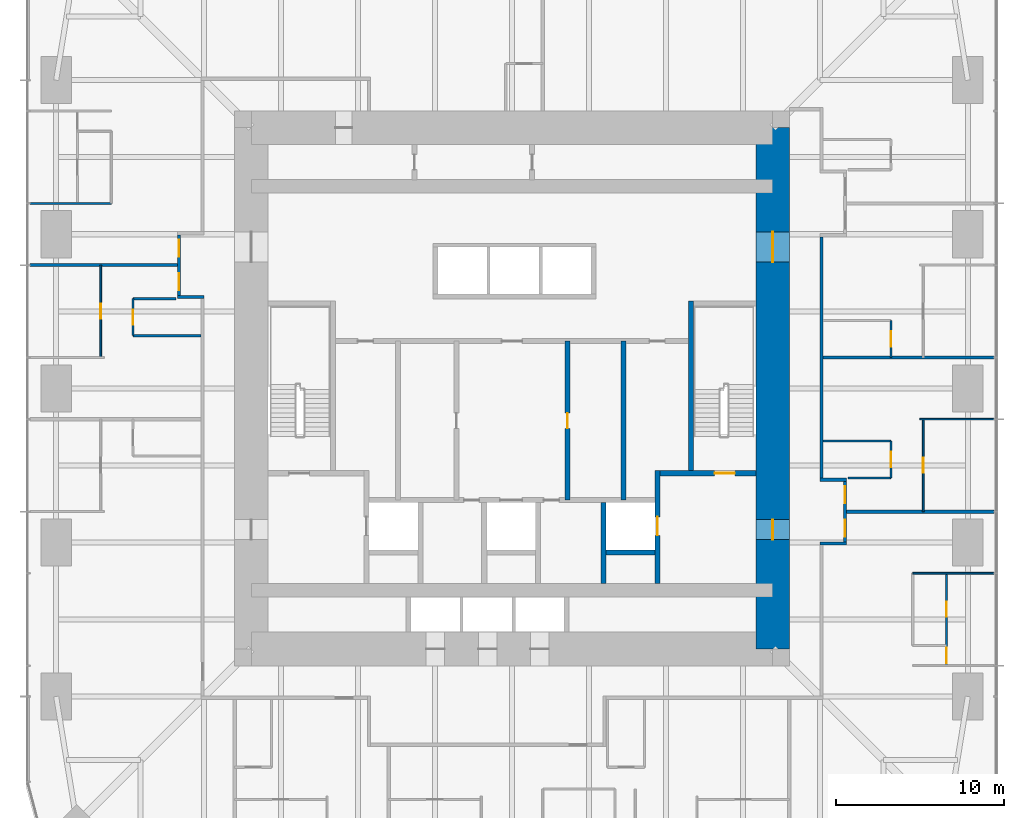
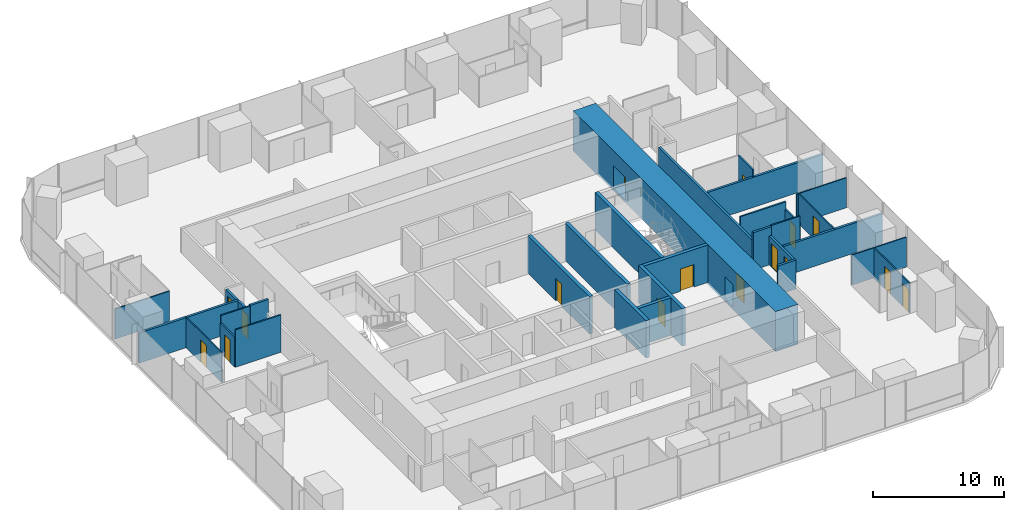
# One storey, part 10 of 13: 30 walls, 16 doors, 16 openings.
"""IFC4 building model written with IfcOpenShell, lengths in metres."""

from ifc_helpers import new_model, si_unit, direction, frame, frame_2d, origin, place, context, subcontext, project, spatial, rectangle, extrude, material, layer, layer_set, type_object, element, fill, save


model = new_model("IFC4")

# Units and contexts
model_context = context("Model", 3, precision=1e-05, world=origin(), true_north=direction((0.0, 1.0)))
body_context = subcontext(model_context, "Body", "Model", "MODEL_VIEW")
ifc_project = project(units=[si_unit("LENGTHUNIT", "METRE"), si_unit("AREAUNIT", "SQUARE_METRE"), si_unit("VOLUMEUNIT", "CUBIC_METRE"), si_unit("PLANEANGLEUNIT", "RADIAN"), si_unit("MASSUNIT", "GRAM", prefix="KILO")], contexts=[model_context])

# Site, building, storey
site_placement = place(None, origin())
site = spatial("IfcSite", under=ifc_project, at=site_placement, CompositionType="ELEMENT")
building_placement = place(site_placement, origin())
building = spatial("IfcBuilding", under=site, at=building_placement, Name="Khuree Lantern Residences", CompositionType="ELEMENT")
storey_placement = place(building_placement, frame((0.0, 0.0, 137.25)))
storey = spatial("IfcBuildingStorey", under=building, at=storey_placement, Name="L34", CompositionType="ELEMENT", Elevation=137.25)

# Wall, opening, door
ifc_material_1 = material(Name="Moisture-resistant gypsum board on steel studs", Category="steel")
ifc_layer_1 = layer(ifc_material_1, 0.125)
ifc_layer_set_1 = layer_set([ifc_layer_1], Name="BATHROOM WALL BTW125")
wall_type_1 = type_object("IfcWallType", Name="BATHROOM WALL BTW125", PredefinedType="PARTITIONING", material=ifc_layer_set_1)
wall_1_placement = place(storey_placement, frame((22.52978515625, -5.327880859375, 0.0), z_axis=(0.0, 0.0, 1.0), x_axis=(0.0, 1.0, 0.0)))
wall_1 = element("IfcWall", 1, at=wall_1_placement, inside=storey, type_object=wall_type_1, Name="L34 BATHROOM WALL 01", PredefinedType="PARTITIONING", context=body_context, shape_type="SweptSolid", body=[
    extrude(rectangle(XDim=2.199951171875, YDim=0.125, at=frame_2d((1.10009765625, 0.0))), origin(), (0.0, 0.0, 1.0), 2.81005859375),
])
opening_1_placement = place(wall_1_placement, frame((0.64990234375, 0.0, 0.0)))
opening_1 = element("IfcOpeningElement", 2, at=opening_1_placement, cuts=wall_1, Name="Opening 34-024", PredefinedType="OPENING", context=body_context, shape_type="SweptSolid", body=[
    extrude(rectangle(XDim=0.89990234375, YDim=2.10009765625, at=frame_2d((0.449951171875, 1.050048828125))), frame((0.0, 0.072509765625, 0.0), z_axis=(0.0, -1.0, 0.0), x_axis=(1.0, 0.0, 0.0)), (0.0, 0.0, 1.0), 0.14501953125),
])
ifc_material_2 = material(Name="Timber door leaf in hardwood frame", Category="wood")
door_type_1 = type_object("IfcDoorType", Name="BATHROOM DOOR 900X2100", OperationType="SINGLE_SWING_LEFT", PredefinedType="DOOR", material=ifc_material_2)
door_1_placement = place(opening_1_placement, origin())
door_1 = element("IfcDoor", 3, at=door_1_placement, inside=storey, type_object=door_type_1, Name="Bathroom door 34-024", OperationType="SINGLE_SWING_LEFT", OverallHeight=2.10009765625, OverallWidth=0.89990234375, PredefinedType="DOOR", context=body_context, shape_type="SweptSolid", body=[
    extrude(rectangle(XDim=0.89990234375, YDim=2.10009765625, at=frame_2d((0.449951171875, 1.050048828125))), frame((0.0, 0.02490234375, 0.0), z_axis=(0.0, -1.0, 0.0), x_axis=(1.0, 0.0, 0.0)), (0.0, 0.0, 1.0), 0.050048828125),
])
fill(opening_1, door_1)

# Walls
wall_2_placement = place(storey_placement, frame((19.969970703125, -5.327880859375, 0.0), z_axis=(0.0, 0.0, 1.0), x_axis=(1.0, 0.0, 0.0)))
element("IfcWall", 4, at=wall_2_placement, inside=storey, type_object=wall_type_1, Name="L34 BATHROOM WALL 01", PredefinedType="PARTITIONING", context=body_context, shape_type="SweptSolid", body=[
    extrude(rectangle(XDim=2.559814453125, YDim=0.125, at=frame_2d((1.27978515625, 0.0))), origin(), (0.0, 0.0, 1.0), 3.5),
])
wall_3_placement = place(storey_placement, frame((18.5, -3.1279296875, 0.0), z_axis=(0.0, 0.0, 1.0), x_axis=(1.0, 0.0, 0.0)))
element("IfcWall", 5, at=wall_3_placement, inside=storey, type_object=wall_type_1, Name="L34 BATHROOM WALL 01", PredefinedType="PARTITIONING", context=body_context, shape_type="SweptSolid", body=[
    extrude(rectangle(XDim=4.02978515625, YDim=0.125, at=frame_2d((2.014892578125, 0.0))), origin(), (0.0, 0.0, 1.0), 3.5),
])

# Wall, opening, door
wall_4_placement = place(storey_placement, frame((22.52978515625, 1.83203125, 0.0), z_axis=(0.0, 0.0, 1.0), x_axis=(0.0, 1.0, 0.0)))
wall_4 = element("IfcWall", 6, at=wall_4_placement, inside=storey, type_object=wall_type_1, Name="L34 BATHROOM WALL 02", PredefinedType="PARTITIONING", context=body_context, shape_type="SweptSolid", body=[
    extrude(rectangle(XDim=2.199951171875, YDim=0.125, at=frame_2d((1.10009765625, 0.0))), origin(), (0.0, 0.0, 1.0), 3.5),
])
opening_2_placement = place(wall_4_placement, frame((0.64990234375, 0.0, 0.0)))
opening_2 = element("IfcOpeningElement", 7, at=opening_2_placement, cuts=wall_4, Name="Opening 34-027", PredefinedType="OPENING", context=body_context, shape_type="SweptSolid", body=[
    extrude(rectangle(XDim=0.89990234375, YDim=2.10009765625, at=frame_2d((0.449951171875, 1.050048828125))), frame((0.0, 0.072509765625, 0.0), z_axis=(0.0, -1.0, 0.0), x_axis=(1.0, 0.0, 0.0)), (0.0, 0.0, 1.0), 0.14501953125),
])
door_2_placement = place(opening_2_placement, origin())
door_2 = element("IfcDoor", 8, at=door_2_placement, inside=storey, type_object=door_type_1, Name="Bathroom door 34-027", OperationType="SINGLE_SWING_LEFT", OverallHeight=2.10009765625, OverallWidth=0.89990234375, PredefinedType="DOOR", context=body_context, shape_type="SweptSolid", body=[
    extrude(rectangle(XDim=0.89990234375, YDim=2.10009765625, at=frame_2d((0.449951171875, 1.050048828125))), frame((0.0, 0.02490234375, 0.0), z_axis=(0.0, -1.0, 0.0), x_axis=(1.0, 0.0, 0.0)), (0.0, 0.0, 1.0), 0.050048828125),
])
fill(opening_2, door_2)

wall_5_placement = place(storey_placement, frame((-22.52978515625, 5.327880859375, 0.0), z_axis=(0.0, 0.0, 1.0), x_axis=(0.0, -1.0, 0.0)))
wall_5 = element("IfcWall", 9, at=wall_5_placement, inside=storey, type_object=wall_type_1, Name="L34 BATHROOM WALL 05", PredefinedType="PARTITIONING", context=body_context, shape_type="SweptSolid", body=[
    extrude(rectangle(XDim=2.199951171875, YDim=0.125, at=frame_2d((1.10009765625, 0.0))), origin(), (0.0, 0.0, 1.0), 2.81005859375),
])
opening_3_placement = place(wall_5_placement, frame((0.64990234375, 0.0, 0.0)))
opening_3 = element("IfcOpeningElement", 10, at=opening_3_placement, cuts=wall_5, Name="Opening 34-040", PredefinedType="OPENING", context=body_context, shape_type="SweptSolid", body=[
    extrude(rectangle(XDim=0.89990234375, YDim=2.10009765625, at=frame_2d((0.449951171875, 1.050048828125))), frame((0.0, 0.072509765625, 0.0), z_axis=(0.0, -1.0, 0.0), x_axis=(1.0, 0.0, 0.0)), (0.0, 0.0, 1.0), 0.14501953125),
])
door_3_placement = place(opening_3_placement, origin())
door_3 = element("IfcDoor", 11, at=door_3_placement, inside=storey, type_object=door_type_1, Name="Bathroom door 34-040", OperationType="SINGLE_SWING_LEFT", OverallHeight=2.10009765625, OverallWidth=0.89990234375, PredefinedType="DOOR", context=body_context, shape_type="SweptSolid", body=[
    extrude(rectangle(XDim=0.89990234375, YDim=2.10009765625, at=frame_2d((0.449951171875, 1.050048828125))), frame((0.0, 0.02490234375, 0.0), z_axis=(0.0, -1.0, 0.0), x_axis=(1.0, 0.0, 0.0)), (0.0, 0.0, 1.0), 0.050048828125),
])
fill(opening_3, door_3)

# Walls
wall_6_placement = place(storey_placement, frame((-19.969970703125, 5.327880859375, 0.0), z_axis=(0.0, 0.0, 1.0), x_axis=(-1.0, 0.0, 0.0)))
element("IfcWall", 12, at=wall_6_placement, inside=storey, type_object=wall_type_1, Name="L34 BATHROOM WALL 05", PredefinedType="PARTITIONING", context=body_context, shape_type="SweptSolid", body=[
    extrude(rectangle(XDim=2.559814453125, YDim=0.125, at=frame_2d((1.27978515625, 0.0))), origin(), (0.0, 0.0, 1.0), 3.5),
])
wall_7_placement = place(storey_placement, frame((-18.5, 3.1279296875, 0.0), z_axis=(0.0, 0.0, 1.0), x_axis=(-1.0, 0.0, 0.0)))
element("IfcWall", 13, at=wall_7_placement, inside=storey, type_object=wall_type_1, Name="L34 BATHROOM WALL 05", PredefinedType="PARTITIONING", context=body_context, shape_type="SweptSolid", body=[
    extrude(rectangle(XDim=4.02978515625, YDim=0.125, at=frame_2d((2.014892578125, 0.0))), origin(), (0.0, 0.0, 1.0), 3.5),
])

# Wall, opening, door
ifc_material_3 = material(Name="Dense concrete blockwork", Category="masonry")
ifc_layer_2 = layer(ifc_material_3, 0.300048828125)
ifc_layer_set_2 = layer_set([ifc_layer_2], Name="CORE PARTITION WALL CPW300 EI 120")
wall_type_2 = type_object("IfcWallType", Name="CORE PARTITION WALL CPW300 EI 120", PredefinedType="PARTITIONING", material=ifc_layer_set_2)
wall_8_placement = place(storey_placement, frame((8.64990234375, -11.60009765625, 0.0), z_axis=(0.0, 0.0, 1.0), x_axis=(0.0, 1.0, 0.0)))
wall_8 = element("IfcWall", 14, at=wall_8_placement, inside=storey, type_object=wall_type_2, Name="L34 CORE WALL FL2E", PredefinedType="PARTITIONING", context=body_context, shape_type="SweptSolid", body=[
    extrude(rectangle(XDim=6.7001953125, YDim=0.300048828125, at=frame_2d((3.35009765625, 0.0))), origin(), (0.0, 0.0, 1.0), 3.5),
])
opening_4_placement = place(wall_8_placement, frame((2.85009765625, 0.0, 0.0)))
opening_4 = element("IfcOpeningElement", 15, at=opening_4_placement, cuts=wall_8, Name="Opening 34-008", PredefinedType="OPENING", context=body_context, shape_type="SweptSolid", body=[
    extrude(rectangle(XDim=1.10009765625, YDim=2.10009765625, at=frame_2d((0.550048828125, 1.050048828125))), frame((0.0, 0.16015625, 0.0), z_axis=(0.0, -1.0, 0.0), x_axis=(1.0, 0.0, 0.0)), (0.0, 0.0, 1.0), 0.320068359375),
])
ifc_material_4 = material(Name="Stainless steel lift landing door", Category="steel")
door_type_2 = type_object("IfcDoorType", Name="LIFT LANDING DOOR 1100X2100 E 120", OperationType="DOUBLE_DOOR_SLIDING", PredefinedType="DOOR", material=ifc_material_4)
door_4_placement = place(opening_4_placement, origin())
door_4 = element("IfcDoor", 16, at=door_4_placement, inside=storey, type_object=door_type_2, Name="Landing door FL2 34-008", OperationType="DOUBLE_DOOR_SLIDING", OverallHeight=2.10009765625, OverallWidth=1.10009765625, PredefinedType="DOOR", context=body_context, shape_type="SweptSolid", body=[
    extrude(rectangle(XDim=1.10009765625, YDim=2.10009765625, at=frame_2d((0.550048828125, 1.050048828125))), frame((0.0, 0.02490234375, 0.0), z_axis=(0.0, -1.0, 0.0), x_axis=(1.0, 0.0, 0.0)), (0.0, 0.0, 1.0), 0.050048828125),
])
fill(opening_4, door_4)

# Walls
wall_9_placement = place(storey_placement, frame((5.449951171875, -11.60009765625, 0.0), z_axis=(0.0, 0.0, 1.0), x_axis=(0.0, 1.0, 0.0)))
element("IfcWall", 17, at=wall_9_placement, inside=storey, type_object=wall_type_2, Name="L34 CORE WALL FL2W", PredefinedType="PARTITIONING", context=body_context, shape_type="SweptSolid", body=[
    extrude(rectangle(XDim=4.800048828125, YDim=0.300048828125, at=frame_2d((2.39990234375, 0.0))), origin(), (0.0, 0.0, 1.0), 3.5),
])
wall_10_placement = place(storey_placement, frame((5.60009765625, -9.75, 0.0), z_axis=(0.0, 0.0, 1.0), x_axis=(1.0, 0.0, 0.0)))
element("IfcWall", 18, at=wall_10_placement, inside=storey, type_object=wall_type_2, Name="L34 CORE WALL FL2S", PredefinedType="PARTITIONING", context=body_context, shape_type="SweptSolid", body=[
    extrude(rectangle(XDim=2.89990234375, YDim=0.300048828125, at=frame_2d((1.449951171875, 0.0))), origin(), (0.0, 0.0, 1.0), 3.5),
])

# Wall, opening, door
wall_11_placement = place(storey_placement, frame((3.300048828125, -6.64990234375, 0.0), z_axis=(0.0, 0.0, 1.0), x_axis=(0.0, 1.0, 0.0)))
wall_11 = element("IfcWall", 19, at=wall_11_placement, inside=storey, type_object=wall_type_2, Name="L34 CORE WALL SVE", PredefinedType="PARTITIONING", context=body_context, shape_type="SweptSolid", body=[
    extrude(rectangle(XDim=9.449951171875, YDim=0.300048828125, at=frame_2d((4.72509765625, 0.0))), origin(), (0.0, 0.0, 1.0), 3.5),
])
opening_5_placement = place(wall_11_placement, frame((4.27490234375, 0.0, 0.0)))
opening_5 = element("IfcOpeningElement", 20, at=opening_5_placement, cuts=wall_11, Name="Opening 34-018", PredefinedType="OPENING", context=body_context, shape_type="SweptSolid", body=[
    extrude(rectangle(XDim=0.89990234375, YDim=2.10009765625, at=frame_2d((0.449951171875, 1.050048828125))), frame((0.0, 0.16015625, 0.0), z_axis=(0.0, -1.0, 0.0), x_axis=(1.0, 0.0, 0.0)), (0.0, 0.0, 1.0), 0.320068359375),
])
door_type_3 = type_object("IfcDoorType", Name="DOOR 900X2100", OperationType="SINGLE_SWING_LEFT", PredefinedType="DOOR", material=ifc_material_2)
door_5_placement = place(opening_5_placement, origin())
door_5 = element("IfcDoor", 21, at=door_5_placement, inside=storey, type_object=door_type_3, Name="Residents' store door 34-018", OperationType="SINGLE_SWING_LEFT", OverallHeight=2.10009765625, OverallWidth=0.89990234375, PredefinedType="DOOR", context=body_context, shape_type="SweptSolid", body=[
    extrude(rectangle(XDim=0.89990234375, YDim=2.10009765625, at=frame_2d((0.449951171875, 1.050048828125))), frame((0.0, 0.02490234375, 0.0), z_axis=(0.0, -1.0, 0.0), x_axis=(1.0, 0.0, 0.0)), (0.0, 0.0, 1.0), 0.050048828125),
])
fill(opening_5, door_5)

# Walls
wall_12_placement = place(storey_placement, frame((6.6220703125, -6.64990234375, 0.0), z_axis=(0.0, 0.0, 1.0), x_axis=(0.0, 1.0, 0.0)))
element("IfcWall", 22, at=wall_12_placement, inside=storey, type_object=wall_type_2, Name="L34 CORE WALL EV", PredefinedType="PARTITIONING", context=body_context, shape_type="SweptSolid", body=[
    extrude(rectangle(XDim=9.449951171875, YDim=0.300048828125, at=frame_2d((4.72509765625, 0.0))), origin(), (0.0, 0.0, 1.0), 3.5),
])
ifc_material_5 = material(Name="Gypsum board on steel studs", Category="steel")
ifc_layer_3 = layer(ifc_material_5, 0.199951171875)
ifc_layer_set_3 = layer_set([ifc_layer_3], Name="CORRIDOR WALL CRW200 EI 60")
wall_type_3 = type_object("IfcWallType", Name="CORRIDOR WALL CRW200 EI 60", PredefinedType="PARTITIONING", material=ifc_layer_set_3)
wall_13_placement = place(storey_placement, frame((18.300048828125, -9.22802734375, 0.0), z_axis=(0.0, 0.0, 1.0), x_axis=(1.0, 0.0, 0.0)))
element("IfcWall", 23, at=wall_13_placement, inside=storey, type_object=wall_type_3, Name="L34 CORRIDOR ALCOVE WALL EAST", PredefinedType="PARTITIONING", context=body_context, shape_type="SweptSolid", body=[
    extrude(rectangle(XDim=1.599853515625, YDim=0.199951171875, at=frame_2d((0.7998046875, 0.0))), origin(), (0.0, 0.0, 1.0), 2.699951171875),
])
wall_14_placement = place(storey_placement, frame((18.300048828125, -5.427978515625, 0.0), z_axis=(0.0, 0.0, 1.0), x_axis=(1.0, 0.0, 0.0)))
element("IfcWall", 24, at=wall_14_placement, inside=storey, type_object=wall_type_3, Name="L34 CORRIDOR ALCOVE WALL EAST", PredefinedType="PARTITIONING", context=body_context, shape_type="SweptSolid", body=[
    extrude(rectangle(XDim=1.599853515625, YDim=0.199951171875, at=frame_2d((0.7998046875, 0.0))), origin(), (0.0, 0.0, 1.0), 3.5),
])

# Wall, openings, doors
wall_15_placement = place(storey_placement, frame((19.800048828125, -9.1279296875, 0.0), z_axis=(0.0, 0.0, 1.0), x_axis=(0.0, 1.0, 0.0)))
wall_15 = element("IfcWall", 25, at=wall_15_placement, inside=storey, type_object=wall_type_3, Name="L34 CORRIDOR ALCOVE WALL EAST", PredefinedType="PARTITIONING", context=body_context, shape_type="SweptSolid", body=[
    extrude(rectangle(XDim=3.599853515625, YDim=0.199951171875, at=frame_2d((1.7998046875, 0.0))), origin(), (0.0, 0.0, 1.0), 2.699951171875),
])
opening_6_placement = place(wall_15_placement, frame((2.300048828125, 0.0, 0.0)))
opening_6 = element("IfcOpeningElement", 26, at=opening_6_placement, cuts=wall_15, Name="Opening 34-025", PredefinedType="OPENING", context=body_context, shape_type="SweptSolid", body=[
    extrude(rectangle(XDim=1.0, YDim=2.199951171875, at=frame_2d((0.5, 1.10009765625))), frame((0.0, 0.10986328125, 0.0), z_axis=(0.0, -1.0, 0.0), x_axis=(1.0, 0.0, 0.0)), (0.0, 0.0, 1.0), 0.219970703125),
])
opening_7_placement = place(wall_15_placement, frame((0.300048828125, 0.0, 0.0)))
opening_7 = element("IfcOpeningElement", 27, at=opening_7_placement, cuts=wall_15, Name="Opening 34-056", PredefinedType="OPENING", context=body_context, shape_type="SweptSolid", body=[
    extrude(rectangle(XDim=1.0, YDim=2.199951171875, at=frame_2d((0.5, 1.10009765625))), frame((0.0, 0.10986328125, 0.0), z_axis=(0.0, -1.0, 0.0), x_axis=(1.0, 0.0, 0.0)), (0.0, 0.0, 1.0), 0.219970703125),
])
door_type_4 = type_object("IfcDoorType", Name="APARTMENT ENTRANCE DOOR 1000X2200 EI 30S", OperationType="SINGLE_SWING_LEFT", PredefinedType="DOOR", material=ifc_material_2)
door_6_placement = place(opening_7_placement, origin())
door_6 = element("IfcDoor", 28, at=door_6_placement, inside=storey, type_object=door_type_4, Name="Apartment 09 entrance door 34-056", OperationType="SINGLE_SWING_LEFT", OverallHeight=2.199951171875, OverallWidth=1.0, PredefinedType="DOOR", context=body_context, shape_type="SweptSolid", body=[
    extrude(rectangle(XDim=1.0, YDim=2.199951171875, at=frame_2d((0.5, 1.10009765625))), frame((0.0, 0.02490234375, 0.0), z_axis=(0.0, -1.0, 0.0), x_axis=(1.0, 0.0, 0.0)), (0.0, 0.0, 1.0), 0.050048828125),
])
fill(opening_7, door_6)
door_type_5 = type_object("IfcDoorType", Name="APARTMENT ENTRANCE DOOR 1000X2200 EI 30S RIGHT HAND", OperationType="SINGLE_SWING_RIGHT", PredefinedType="DOOR", material=ifc_material_2)
door_7_placement = place(opening_6_placement, origin())
door_7 = element("IfcDoor", 29, at=door_7_placement, inside=storey, type_object=door_type_5, Name="Apartment 01 entrance door 34-025", OperationType="SINGLE_SWING_RIGHT", OverallHeight=2.199951171875, OverallWidth=1.0, PredefinedType="DOOR", context=body_context, shape_type="SweptSolid", body=[
    extrude(rectangle(XDim=1.0, YDim=2.199951171875, at=frame_2d((0.5, 1.10009765625))), frame((0.0, 0.02490234375, 0.0), z_axis=(0.0, -1.0, 0.0), x_axis=(1.0, 0.0, 0.0)), (0.0, 0.0, 1.0), 0.050048828125),
])
fill(opening_6, door_7)

# Walls
wall_16_placement = place(storey_placement, frame((18.39990234375, -5.327880859375, 0.0), z_axis=(0.0, 0.0, 1.0), x_axis=(0.0, 1.0, 0.0)))
element("IfcWall", 30, at=wall_16_placement, inside=storey, type_object=wall_type_3, Name="L34 CORRIDOR WALL EAST 2", PredefinedType="PARTITIONING", context=body_context, shape_type="SweptSolid", body=[
    extrude(rectangle(XDim=14.31982421875, YDim=0.199951171875, at=frame_2d((7.159912109375, 0.0))), origin(), (0.0, 0.0, 1.0), 2.699951171875),
])
wall_17_placement = place(storey_placement, frame((-18.300048828125, 5.427978515625, 0.0), z_axis=(0.0, 0.0, 1.0), x_axis=(-1.0, 0.0, 0.0)))
element("IfcWall", 31, at=wall_17_placement, inside=storey, type_object=wall_type_3, Name="L34 CORRIDOR ALCOVE WALL WEST", PredefinedType="PARTITIONING", context=body_context, shape_type="SweptSolid", body=[
    extrude(rectangle(XDim=1.599853515625, YDim=0.199951171875, at=frame_2d((0.7998046875, 0.0))), origin(), (0.0, 0.0, 1.0), 3.5),
])

# Wall, openings, doors
wall_18_placement = place(storey_placement, frame((-19.800048828125, 9.1279296875, 0.0), z_axis=(0.0, 0.0, 1.0), x_axis=(0.0, -1.0, 0.0)))
wall_18 = element("IfcWall", 32, at=wall_18_placement, inside=storey, type_object=wall_type_3, Name="L34 CORRIDOR ALCOVE WALL WEST", PredefinedType="PARTITIONING", context=body_context, shape_type="SweptSolid", body=[
    extrude(rectangle(XDim=3.599853515625, YDim=0.199951171875, at=frame_2d((1.7998046875, 0.0))), origin(), (0.0, 0.0, 1.0), 2.699951171875),
])
opening_8_placement = place(wall_18_placement, frame((0.300048828125, 0.0, 0.0)))
opening_8 = element("IfcOpeningElement", 33, at=opening_8_placement, cuts=wall_18, Name="Opening 34-038", PredefinedType="OPENING", context=body_context, shape_type="SweptSolid", body=[
    extrude(rectangle(XDim=1.0, YDim=2.199951171875, at=frame_2d((0.5, 1.10009765625))), frame((0.0, 0.10986328125, 0.0), z_axis=(0.0, -1.0, 0.0), x_axis=(1.0, 0.0, 0.0)), (0.0, 0.0, 1.0), 0.219970703125),
])
opening_9_placement = place(wall_18_placement, frame((2.300048828125, 0.0, 0.0)))
opening_9 = element("IfcOpeningElement", 34, at=opening_9_placement, cuts=wall_18, Name="Opening 34-041", PredefinedType="OPENING", context=body_context, shape_type="SweptSolid", body=[
    extrude(rectangle(XDim=1.0, YDim=2.199951171875, at=frame_2d((0.5, 1.10009765625))), frame((0.0, 0.10986328125, 0.0), z_axis=(0.0, -1.0, 0.0), x_axis=(1.0, 0.0, 0.0)), (0.0, 0.0, 1.0), 0.219970703125),
])
door_8_placement = place(opening_8_placement, origin())
door_8 = element("IfcDoor", 35, at=door_8_placement, inside=storey, type_object=door_type_4, Name="Apartment 04 entrance door 34-038", OperationType="SINGLE_SWING_LEFT", OverallHeight=2.199951171875, OverallWidth=1.0, PredefinedType="DOOR", context=body_context, shape_type="SweptSolid", body=[
    extrude(rectangle(XDim=1.0, YDim=2.199951171875, at=frame_2d((0.5, 1.10009765625))), frame((0.0, 0.02490234375, 0.0), z_axis=(0.0, -1.0, 0.0), x_axis=(1.0, 0.0, 0.0)), (0.0, 0.0, 1.0), 0.050048828125),
])
fill(opening_8, door_8)
door_9_placement = place(opening_9_placement, origin())
door_9 = element("IfcDoor", 36, at=door_9_placement, inside=storey, type_object=door_type_5, Name="Apartment 05 entrance door 34-041", OperationType="SINGLE_SWING_RIGHT", OverallHeight=2.199951171875, OverallWidth=1.0, PredefinedType="DOOR", context=body_context, shape_type="SweptSolid", body=[
    extrude(rectangle(XDim=1.0, YDim=2.199951171875, at=frame_2d((0.5, 1.10009765625))), frame((0.0, 0.02490234375, 0.0), z_axis=(0.0, -1.0, 0.0), x_axis=(1.0, 0.0, 0.0)), (0.0, 0.0, 1.0), 0.050048828125),
])
fill(opening_9, door_9)

ifc_material_6 = material(Name="Concrete C70/85", Category="concrete")
ifc_layer_4 = layer(ifc_material_6, 2.0)
ifc_layer_set_4 = layer_set([ifc_layer_4], Name="CW2000-C70 CORE WALL C70 2000")
wall_type_4 = type_object("IfcWallType", Name="CW2000-C70 CORE WALL C70 2000", PredefinedType="SHEAR", material=ifc_layer_set_4)
wall_19_placement = place(storey_placement, frame((15.5, -15.5, -0.25), z_axis=(0.0, 0.0, 1.0), x_axis=(0.0, 1.0, 0.0)))
wall_19 = element("IfcWall", 37, at=wall_19_placement, inside=storey, type_object=wall_type_4, Name="Core wall E", PredefinedType="SHEAR", context=body_context, shape_type="SweptSolid", body=[
    extrude(rectangle(XDim=31.0, YDim=2.0, at=frame_2d((15.5, 0.0))), origin(), (0.0, 0.0, 1.0), 3.75),
])
opening_10_placement = place(wall_19_placement, frame((6.5, 0.0, 0.25)))
opening_10 = element("IfcOpeningElement", 38, at=opening_10_placement, cuts=wall_19, Name="Opening 34-005", PredefinedType="OPENING", context=body_context, shape_type="SweptSolid", body=[
    extrude(rectangle(XDim=1.199951171875, YDim=2.10009765625, at=frame_2d((0.60009765625, 1.050048828125))), frame((0.0, 1.010009765625, 0.0), z_axis=(0.0, -1.0, 0.0), x_axis=(1.0, 0.0, 0.0)), (0.0, 0.0, 1.0), 2.02001953125),
])
opening_11_placement = place(wall_19_placement, frame((23.0, 0.0, 0.25)))
opening_11 = element("IfcOpeningElement", 39, at=opening_11_placement, cuts=wall_19, Name="Opening 34-006", PredefinedType="OPENING", context=body_context, shape_type="SweptSolid", body=[
    extrude(rectangle(XDim=1.800048828125, YDim=2.10009765625, at=frame_2d((0.89990234375, 1.050048828125))), frame((0.0, 1.010009765625, 0.0), z_axis=(0.0, -1.0, 0.0), x_axis=(1.0, 0.0, 0.0)), (0.0, 0.0, 1.0), 2.02001953125),
])
ifc_material_7 = material(Name="Steel door leaf in steel frame", Category="steel")
door_type_6 = type_object("IfcDoorType", Name="LOBBY DOOR 1200X2100 EI 120", OperationType="SINGLE_SWING_LEFT", PredefinedType="DOOR", material=ifc_material_7)
door_10_placement = place(opening_10_placement, origin())
door_10 = element("IfcDoor", 40, at=door_10_placement, inside=storey, type_object=door_type_6, Name="Firefighting lobby door 34-005", OperationType="SINGLE_SWING_LEFT", OverallHeight=2.10009765625, OverallWidth=1.199951171875, PredefinedType="DOOR", context=body_context, shape_type="SweptSolid", body=[
    extrude(rectangle(XDim=1.199951171875, YDim=2.10009765625, at=frame_2d((0.60009765625, 1.050048828125))), frame((0.0, 0.02490234375, 0.0), z_axis=(0.0, -1.0, 0.0), x_axis=(1.0, 0.0, 0.0)), (0.0, 0.0, 1.0), 0.050048828125),
])
fill(opening_10, door_10)
door_type_7 = type_object("IfcDoorType", Name="LOBBY DOUBLE DOOR 1800X2100 EI 60", OperationType="DOUBLE_DOOR_SINGLE_SWING", PredefinedType="DOOR", material=ifc_material_7)
door_11_placement = place(opening_11_placement, origin())
door_11 = element("IfcDoor", 41, at=door_11_placement, inside=storey, type_object=door_type_7, Name="Lift lobby door 34-006", OperationType="DOUBLE_DOOR_SINGLE_SWING", OverallHeight=2.10009765625, OverallWidth=1.800048828125, PredefinedType="DOOR", context=body_context, shape_type="SweptSolid", body=[
    extrude(rectangle(XDim=1.800048828125, YDim=2.10009765625, at=frame_2d((0.89990234375, 1.050048828125))), frame((0.0, 0.02490234375, 0.0), z_axis=(0.0, -1.0, 0.0), x_axis=(1.0, 0.0, 0.0)), (0.0, 0.0, 1.0), 0.050048828125),
])
fill(opening_11, door_11)

# Walls
ifc_layer_5 = layer(ifc_material_5, 0.199951171875)
ifc_layer_set_5 = layer_set([ifc_layer_5], Name="DEMISING WALL DMW200 EI 90")
wall_type_5 = type_object("IfcWallType", Name="DEMISING WALL DMW200 EI 90", PredefinedType="PARTITIONING", material=ifc_layer_set_5)
wall_20_placement = place(storey_placement, frame((19.89990234375, -7.327880859375, 0.0), z_axis=(0.0, 0.0, 1.0), x_axis=(1.0, 0.0, 0.0)))
element("IfcWall", 42, at=wall_20_placement, inside=storey, type_object=wall_type_5, Name="L34 DEMISING WALL 01", PredefinedType="PARTITIONING", context=body_context, shape_type="SweptSolid", body=[
    extrude(rectangle(XDim=8.75, YDim=0.199951171875, at=frame_2d((4.375, 0.0))), origin(), (0.0, 0.0, 1.0), 2.81005859375),
])
wall_21_placement = place(storey_placement, frame((18.5, 1.83203125, 0.0), z_axis=(0.0, 0.0, 1.0), x_axis=(1.0, 0.0, 0.0)))
element("IfcWall", 43, at=wall_21_placement, inside=storey, type_object=wall_type_5, Name="L34 DEMISING WALL 02", PredefinedType="PARTITIONING", context=body_context, shape_type="SweptSolid", body=[
    extrude(rectangle(XDim=10.14990234375, YDim=0.199951171875, at=frame_2d((5.074951171875, 0.0))), origin(), (0.0, 0.0, 1.0), 2.81005859375),
])
wall_22_placement = place(storey_placement, frame((-19.89990234375, 7.327880859375, 0.0), z_axis=(0.0, 0.0, 1.0), x_axis=(-1.0, 0.0, 0.0)))
element("IfcWall", 44, at=wall_22_placement, inside=storey, type_object=wall_type_5, Name="L34 DEMISING WALL 05", PredefinedType="PARTITIONING", context=body_context, shape_type="SweptSolid", body=[
    extrude(rectangle(XDim=8.75, YDim=0.199951171875, at=frame_2d((4.375, 0.0))), origin(), (0.0, 0.0, 1.0), 2.81005859375),
])
ifc_layer_6 = layer(ifc_material_5, 0.10009765625)
ifc_layer_set_6 = layer_set([ifc_layer_6], Name="PARTITION PT100")
wall_type_6 = type_object("IfcWallType", Name="PARTITION PT100", PredefinedType="PARTITIONING", material=ifc_layer_set_6)
wall_23_placement = place(storey_placement, frame((24.25, -1.83203125, 0.0), z_axis=(0.0, 0.0, 1.0), x_axis=(1.0, 0.0, 0.0)))
element("IfcWall", 45, at=wall_23_placement, inside=storey, type_object=wall_type_6, Name="L34 PARTITION 01", PredefinedType="PARTITIONING", context=body_context, shape_type="SweptSolid", body=[
    extrude(rectangle(XDim=4.39990234375, YDim=0.10009765625, at=frame_2d((2.199951171875, 0.0))), origin(), (0.0, 0.0, 1.0), 2.81005859375),
])
for number, where, z_axis, x_axis, name in (
    (46, (-23.829833984375, 10.991943359375, 0.0), (0.0, 0.0, 1.0), (-1.0, 0.0, 0.0), "L34 PARTITION 04"),
    (47, (23.829833984375, -10.991943359375, 0.0), (0.0, 0.0, 1.0), (1.0, 0.0, 0.0), "L34 PARTITION 09"),
):
    element("IfcWall", number, at=place(storey_placement, frame(where, z_axis=z_axis, x_axis=x_axis)), inside=storey, type_object=wall_type_6, Name=name, PredefinedType="PARTITIONING", context=body_context, shape_type="SweptSolid", body=[
        extrude(rectangle(XDim=4.820068359375, YDim=0.10009765625, at=frame_2d((2.41015625, 0.0))), origin(), (0.0, 0.0, 1.0), 2.81005859375),
    ])

# Wall, opening, door
wall_24_placement = place(storey_placement, frame((24.449951171875, -7.327880859375, 0.0), z_axis=(0.0, 0.0, 1.0), x_axis=(0.0, 1.0, 0.0)))
wall_24 = element("IfcWall", 48, at=wall_24_placement, inside=storey, type_object=wall_type_6, Name="L34 PARTITION 01", PredefinedType="PARTITIONING", context=body_context, shape_type="SweptSolid", body=[
    extrude(rectangle(XDim=5.495849609375, YDim=0.10009765625, at=frame_2d((2.748046875, 0.0))), origin(), (0.0, 0.0, 1.0), 2.81005859375),
])
opening_12_placement = place(wall_24_placement, frame((2.298095703125, 0.0, 0.0)))
opening_12 = element("IfcOpeningElement", 49, at=opening_12_placement, cuts=wall_24, Name="Opening 34-023", PredefinedType="OPENING", context=body_context, shape_type="SweptSolid", body=[
    extrude(rectangle(XDim=0.89990234375, YDim=2.10009765625, at=frame_2d((0.449951171875, 1.050048828125))), frame((0.0, 0.06005859375, 0.0), z_axis=(0.0, -1.0, 0.0), x_axis=(1.0, 0.0, 0.0)), (0.0, 0.0, 1.0), 0.1201171875),
])
door_type_8 = type_object("IfcDoorType", Name="BEDROOM DOOR 900X2100", OperationType="SINGLE_SWING_LEFT", PredefinedType="DOOR", material=ifc_material_2)
door_12_placement = place(opening_12_placement, origin())
door_12 = element("IfcDoor", 50, at=door_12_placement, inside=storey, type_object=door_type_8, Name="Bedroom door 34-023", OperationType="SINGLE_SWING_LEFT", OverallHeight=2.10009765625, OverallWidth=0.89990234375, PredefinedType="DOOR", context=body_context, shape_type="SweptSolid", body=[
    extrude(rectangle(XDim=0.89990234375, YDim=2.10009765625, at=frame_2d((0.449951171875, 1.050048828125))), frame((0.0, 0.02490234375, 0.0), z_axis=(0.0, -1.0, 0.0), x_axis=(1.0, 0.0, 0.0)), (0.0, 0.0, 1.0), 0.050048828125),
])
fill(opening_12, door_12)

wall_25_placement = place(storey_placement, frame((-24.449951171875, 7.327880859375, 0.0), z_axis=(0.0, 0.0, 1.0), x_axis=(0.0, -1.0, 0.0)))
wall_25 = element("IfcWall", 51, at=wall_25_placement, inside=storey, type_object=wall_type_6, Name="L34 PARTITION 05", PredefinedType="PARTITIONING", context=body_context, shape_type="SweptSolid", body=[
    extrude(rectangle(XDim=5.495849609375, YDim=0.10009765625, at=frame_2d((2.748046875, 0.0))), origin(), (0.0, 0.0, 1.0), 2.81005859375),
])
opening_13_placement = place(wall_25_placement, frame((2.298095703125, 0.0, 0.0)))
opening_13 = element("IfcOpeningElement", 52, at=opening_13_placement, cuts=wall_25, Name="Opening 34-039", PredefinedType="OPENING", context=body_context, shape_type="SweptSolid", body=[
    extrude(rectangle(XDim=0.89990234375, YDim=2.10009765625, at=frame_2d((0.449951171875, 1.050048828125))), frame((0.0, 0.06005859375, 0.0), z_axis=(0.0, -1.0, 0.0), x_axis=(1.0, 0.0, 0.0)), (0.0, 0.0, 1.0), 0.1201171875),
])
door_13_placement = place(opening_13_placement, origin())
door_13 = element("IfcDoor", 53, at=door_13_placement, inside=storey, type_object=door_type_8, Name="Bedroom door 34-039", OperationType="SINGLE_SWING_LEFT", OverallHeight=2.10009765625, OverallWidth=0.89990234375, PredefinedType="DOOR", context=body_context, shape_type="SweptSolid", body=[
    extrude(rectangle(XDim=0.89990234375, YDim=2.10009765625, at=frame_2d((0.449951171875, 1.050048828125))), frame((0.0, 0.02490234375, 0.0), z_axis=(0.0, -1.0, 0.0), x_axis=(1.0, 0.0, 0.0)), (0.0, 0.0, 1.0), 0.050048828125),
])
fill(opening_13, door_13)

# Wall, openings, doors
wall_26_placement = place(storey_placement, frame((25.829833984375, -16.488037109375, 0.0), z_axis=(0.0, 0.0, 1.0), x_axis=(0.0, 1.0, 0.0)))
wall_26 = element("IfcWall", 54, at=wall_26_placement, inside=storey, type_object=wall_type_6, Name="L34 PARTITION 09", PredefinedType="PARTITIONING", context=body_context, shape_type="SweptSolid", body=[
    extrude(rectangle(XDim=5.49609375, YDim=0.10009765625, at=frame_2d((2.748046875, 0.0))), origin(), (0.0, 0.0, 1.0), 2.81005859375),
])
opening_14_placement = place(wall_26_placement, frame((0.14990234375, 0.0, 0.0)))
opening_14 = element("IfcOpeningElement", 55, at=opening_14_placement, cuts=wall_26, Name="Opening 34-054", PredefinedType="OPENING", context=body_context, shape_type="SweptSolid", body=[
    extrude(rectangle(XDim=0.89990234375, YDim=2.10009765625, at=frame_2d((0.449951171875, 1.050048828125))), frame((0.0, 0.06005859375, 0.0), z_axis=(0.0, -1.0, 0.0), x_axis=(1.0, 0.0, 0.0)), (0.0, 0.0, 1.0), 0.1201171875),
])
opening_15_placement = place(wall_26_placement, frame((2.89794921875, 0.0, 0.0)))
opening_15 = element("IfcOpeningElement", 56, at=opening_15_placement, cuts=wall_26, Name="Opening 34-055", PredefinedType="OPENING", context=body_context, shape_type="SweptSolid", body=[
    extrude(rectangle(XDim=0.89990234375, YDim=2.10009765625, at=frame_2d((0.449951171875, 1.050048828125))), frame((0.0, 0.06005859375, 0.0), z_axis=(0.0, -1.0, 0.0), x_axis=(1.0, 0.0, 0.0)), (0.0, 0.0, 1.0), 0.1201171875),
])
door_14_placement = place(opening_15_placement, origin())
door_14 = element("IfcDoor", 57, at=door_14_placement, inside=storey, type_object=door_type_1, Name="Bathroom door 34-055", OperationType="SINGLE_SWING_LEFT", OverallHeight=2.10009765625, OverallWidth=0.89990234375, PredefinedType="DOOR", context=body_context, shape_type="SweptSolid", body=[
    extrude(rectangle(XDim=0.89990234375, YDim=2.10009765625, at=frame_2d((0.449951171875, 1.050048828125))), frame((0.0, 0.02490234375, 0.0), z_axis=(0.0, -1.0, 0.0), x_axis=(1.0, 0.0, 0.0)), (0.0, 0.0, 1.0), 0.050048828125),
])
fill(opening_15, door_14)
door_15_placement = place(opening_14_placement, origin())
door_15 = element("IfcDoor", 58, at=door_15_placement, inside=storey, type_object=door_type_8, Name="Bedroom door 34-054", OperationType="SINGLE_SWING_LEFT", OverallHeight=2.10009765625, OverallWidth=0.89990234375, PredefinedType="DOOR", context=body_context, shape_type="SweptSolid", body=[
    extrude(rectangle(XDim=0.89990234375, YDim=2.10009765625, at=frame_2d((0.449951171875, 1.050048828125))), frame((0.0, 0.02490234375, 0.0), z_axis=(0.0, -1.0, 0.0), x_axis=(1.0, 0.0, 0.0)), (0.0, 0.0, 1.0), 0.050048828125),
])
fill(opening_14, door_15)

# Wall
ifc_material_8 = material(Name="Concrete C50/60", Category="concrete")
ifc_layer_7 = layer(ifc_material_8, 0.300048828125)
ifc_layer_set_7 = layer_set([ifc_layer_7], Name="STAIR WALL SRW300 C50/60 REI 240")
wall_type_7 = type_object("IfcWallType", Name="STAIR WALL SRW300 C50/60 REI 240", PredefinedType="SOLIDWALL", material=ifc_layer_set_7)
wall_27_placement = place(storey_placement, frame((10.64990234375, -4.89990234375, 0.0), z_axis=(0.0, 0.0, 1.0), x_axis=(0.0, 1.0, 0.0)))
element("IfcWall", 59, at=wall_27_placement, inside=storey, type_object=wall_type_7, Name="L34 STAIR WALL ST2E", PredefinedType="SOLIDWALL", context=body_context, shape_type="SweptSolid", body=[
    extrude(rectangle(XDim=10.099853515625, YDim=0.300048828125, at=frame_2d((5.0498046875, 0.0))), origin(), (0.0, 0.0, 1.0), 3.5),
])

# Wall, opening, door
wall_28_placement = place(storey_placement, frame((14.5, -5.050048828125, 0.0), z_axis=(0.0, 0.0, 1.0), x_axis=(-1.0, 0.0, 0.0)))
wall_28 = element("IfcWall", 60, at=wall_28_placement, inside=storey, type_object=wall_type_7, Name="L34 STAIR WALL ST2S", PredefinedType="SOLIDWALL", context=body_context, shape_type="SweptSolid", body=[
    extrude(rectangle(XDim=5.699951171875, YDim=0.300048828125, at=frame_2d((2.85009765625, 0.0))), origin(), (0.0, 0.0, 1.0), 3.5),
])
opening_16_placement = place(wall_28_placement, frame((1.25, 0.0, 0.0)))
opening_16 = element("IfcOpeningElement", 61, at=opening_16_placement, cuts=wall_28, Name="Opening 34-004", PredefinedType="OPENING", context=body_context, shape_type="SweptSolid", body=[
    extrude(rectangle(XDim=1.199951171875, YDim=2.10009765625, at=frame_2d((0.60009765625, 1.050048828125))), frame((0.0, 0.16015625, 0.0), z_axis=(0.0, -1.0, 0.0), x_axis=(1.0, 0.0, 0.0)), (0.0, 0.0, 1.0), 0.320068359375),
])
door_type_9 = type_object("IfcDoorType", Name="STAIR DOOR 1200X2100 EI 120", OperationType="SINGLE_SWING_LEFT", PredefinedType="DOOR", material=ifc_material_7)
door_16_placement = place(opening_16_placement, origin())
door_16 = element("IfcDoor", 62, at=door_16_placement, inside=storey, type_object=door_type_9, Name="Stair ST2 door 34-004", OperationType="SINGLE_SWING_LEFT", OverallHeight=2.10009765625, OverallWidth=1.199951171875, PredefinedType="DOOR", context=body_context, shape_type="SweptSolid", body=[
    extrude(rectangle(XDim=1.199951171875, YDim=2.10009765625, at=frame_2d((0.60009765625, 1.050048828125))), frame((0.0, 0.02490234375, 0.0), z_axis=(0.0, -1.0, 0.0), x_axis=(1.0, 0.0, 0.0)), (0.0, 0.0, 1.0), 0.050048828125),
])
fill(opening_16, door_16)

save(model, "model.ifc")
